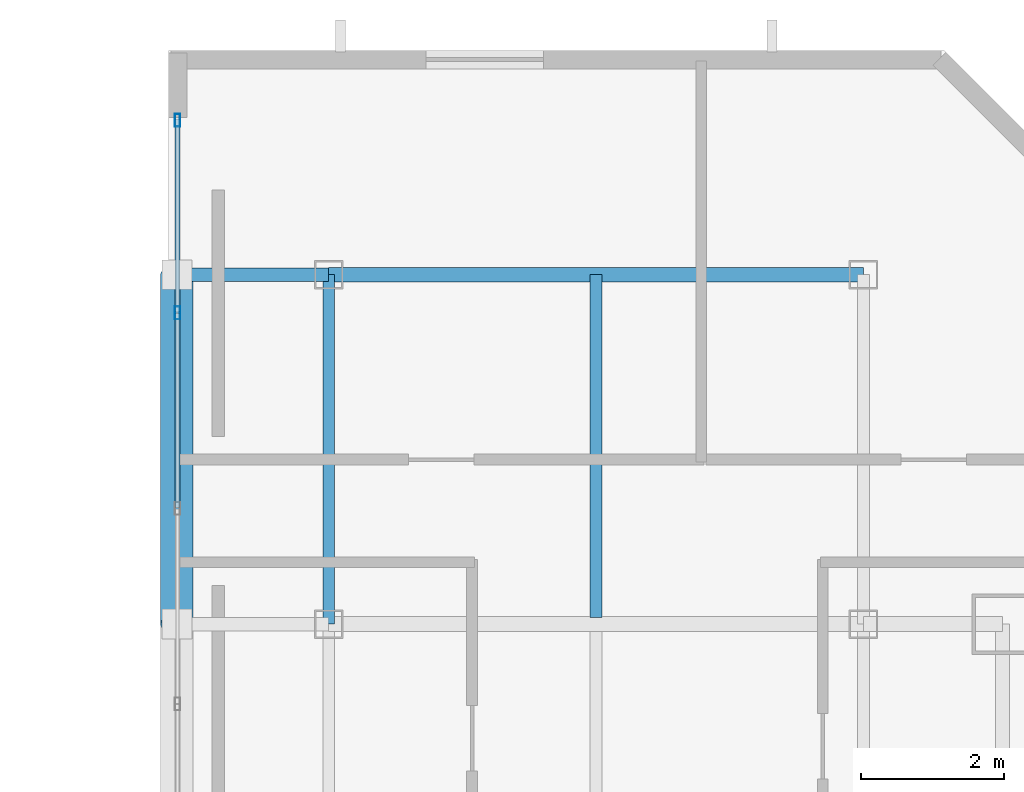
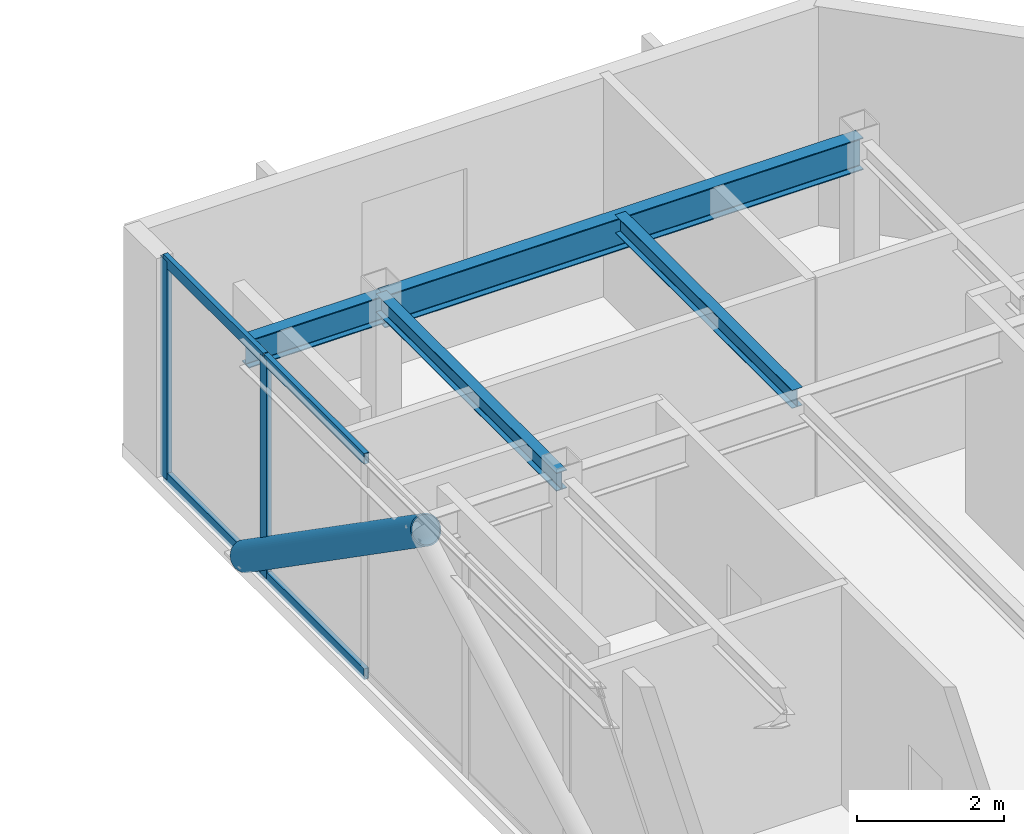
# One storey, part 12 of 18: 7 members, 4 beams, 1 element without a shape of its own.
"""IFC4 building model written with IfcOpenShell, lengths in metres."""

from ifc_helpers import new_model, si_unit, direction, frame, origin, origin_2d, place, context, subcontext, project, spatial, hollow_rectangle, hollow_circle, i_section, extrude, material, material_profile, profile_set, type_object, element, aggregate, save


model = new_model("IFC4")

# Units and contexts
model_context = context("Model", 3, precision=1e-05, world=origin(), true_north=direction((0.0, 1.0)))
body_context = subcontext(model_context, "Body", "Model", "MODEL_VIEW")
ifc_project = project(units=[si_unit("LENGTHUNIT", "METRE"), si_unit("AREAUNIT", "SQUARE_METRE"), si_unit("VOLUMEUNIT", "CUBIC_METRE"), si_unit("PLANEANGLEUNIT", "RADIAN"), si_unit("MASSUNIT", "GRAM", prefix="KILO")], contexts=[model_context])

# Site, building, storey
site_placement = place(None, origin())
site = spatial("IfcSite", under=ifc_project, at=site_placement, CompositionType="ELEMENT")
building_placement = place(site_placement, origin())
building = spatial("IfcBuilding", under=site, at=building_placement, Name="Ventersveld Concourse Tower", CompositionType="ELEMENT")
storey_placement = place(building_placement, frame((0.0, 0.0, 341.35009765625)))
storey = spatial("IfcBuildingStorey", under=building, at=storey_placement, Name="L84", CompositionType="ELEMENT", Elevation=341.35009765625)

# Beams
ifc_material_1 = material(Name="Structural steel S355J2", Category="steel")
ifc_material_profile_1 = material_profile(ifc_material_1, i_section(OverallWidth=0.1650390625, OverallDepth=0.303466796875, WebThickness=0.006103515625, FlangeThickness=0.01025390625, FilletRadius=0.0087890625, at=origin_2d()), Name="UB 305x165x40")
ifc_profile_set_1 = profile_set([ifc_material_profile_1], Name="Structural steel S355J2")
beam_type_1 = type_object("IfcBeamType", Name="BM-UB305", PredefinedType="BEAM", material=ifc_profile_set_1)
beam_1_placement = place(storey_placement, frame((36.25, 23.60009765625, 3.478271484375), z_axis=(0.0, 1.0, 0.0), x_axis=(-1.0, 0.0, 0.0)))
element("IfcBeam", 1, at=beam_1_placement, inside=storey, type_object=beam_type_1, Name="L84 N-S Upper-Zone Floor Beam X=36.25", PredefinedType="BEAM", context=body_context, shape_type="SweptSolid", body=[
    extrude(i_section(OverallWidth=0.1650390625, OverallDepth=0.303466796875, WebThickness=0.006103515625, FlangeThickness=0.01025390625, FilletRadius=0.0087890625, at=origin_2d()), origin(), (0.0, 0.0, 1.0), 4.89990234375),
])
beam_2_placement = place(storey_placement, frame((40.0, 23.695068359375, 3.478271484375), z_axis=(0.0, 1.0, 0.0), x_axis=(-1.0, 0.0, 0.0)))
element("IfcBeam", 2, at=beam_2_placement, inside=storey, type_object=beam_type_1, Name="L84 N-S Upper-Zone Floor Beam X=40.00", PredefinedType="BEAM", context=body_context, shape_type="SweptSolid", body=[
    extrude(i_section(OverallWidth=0.1650390625, OverallDepth=0.303466796875, WebThickness=0.006103515625, FlangeThickness=0.01025390625, FilletRadius=0.0087890625, at=origin_2d()), origin(), (0.0, 0.0, 1.0), 4.804931640625),
])

# Curtain wall, members
ifc_material_2 = material(Name="Anodised aluminium EN AW-6063-T6", Category="aluminium")
curtain_wall_type = type_object("IfcCurtainWallType", Name="CW-WP-5", PredefinedType="NOTDEFINED", material=ifc_material_2)
curtain_wall_placement = place(storey_placement, origin())
curtain_wall = element("IfcCurtainWall", 3, at=curtain_wall_placement, inside=storey, type_object=curtain_wall_type, Name="L84 L84 Wind Portal Aerodynamic Cheek Curtain Wall", PredefinedType="NOTDEFINED")
ifc_material_profile_2 = material_profile(ifc_material_2, hollow_rectangle(XDim=0.074951171875, YDim=0.179931640625, WallThickness=0.00390625, at=origin_2d()), Name="ALU 180x75x4")
ifc_profile_set_2 = profile_set([ifc_material_profile_2], Name="Anodised aluminium EN AW-6063-T6")
member_type_1 = type_object("IfcMemberType", Name="CWM-180x75", PredefinedType="MULLION", material=ifc_profile_set_2)
member_1_placement = place(storey_placement, frame((34.1298828125, 27.965087890625, 0.0), z_axis=(0.0, 0.0, 1.0), x_axis=(1.0, 0.0, 0.0)))
member_1 = element("IfcMember", 4, at=member_1_placement, type_object=member_type_1, Name="CW-L84-WP-E Mullion 06", PredefinedType="MULLION", context=body_context, shape_type="SweptSolid", body=[
    extrude(hollow_rectangle(XDim=0.074951171875, YDim=0.179931640625, WallThickness=0.00390625, at=origin_2d()), origin(), (0.0, 0.0, 1.0), 3.6298828125),
])
member_2_placement = place(storey_placement, frame((34.1298828125, 30.668212890625, 0.0), z_axis=(0.0, 0.0, 1.0), x_axis=(1.0, 0.0, 0.0)))
member_2 = element("IfcMember", 5, at=member_2_placement, type_object=member_type_1, Name="CW-L84-WP-E Mullion 07", PredefinedType="MULLION", context=body_context, shape_type="SweptSolid", body=[
    extrude(hollow_rectangle(XDim=0.074951171875, YDim=0.179931640625, WallThickness=0.00390625, at=origin_2d()), origin(), (0.0, 0.0, 1.0), 3.6298828125),
])
ifc_material_profile_3 = material_profile(ifc_material_2, hollow_rectangle(XDim=0.074951171875, YDim=0.179931640625, WallThickness=0.00390625, at=origin_2d()), Name="ALU 180x75x4")
ifc_profile_set_3 = profile_set([ifc_material_profile_3], Name="Anodised aluminium EN AW-6063-T6")
member_type_2 = type_object("IfcMemberType", Name="CWT-180x75", PredefinedType="USERDEFINED", material=ifc_profile_set_3)
member_3_placement = place(storey_placement, frame((34.1298828125, 25.232177734375, 0.02978515625), z_axis=(0.0, 1.0, 0.0), x_axis=(-1.0, 0.0, 0.0)))
member_3 = element("IfcMember", 6, at=member_3_placement, type_object=member_type_2, Name="CW-L84-WP-E Transom 1-05", ObjectType="TRANSOM", PredefinedType="USERDEFINED", context=body_context, shape_type="SweptSolid", body=[
    extrude(hollow_rectangle(XDim=0.074951171875, YDim=0.179931640625, WallThickness=0.00390625, at=origin_2d()), origin(), (0.0, 0.0, 1.0), 2.722900390625),
])
member_4_placement = place(storey_placement, frame((34.1298828125, 27.97509765625, 0.02978515625), z_axis=(0.0, 1.0, 0.0), x_axis=(-1.0, 0.0, 0.0)))
member_4 = element("IfcMember", 7, at=member_4_placement, type_object=member_type_2, Name="CW-L84-WP-E Transom 1-06", ObjectType="TRANSOM", PredefinedType="USERDEFINED", context=body_context, shape_type="SweptSolid", body=[
    extrude(hollow_rectangle(XDim=0.074951171875, YDim=0.179931640625, WallThickness=0.00390625, at=origin_2d()), origin(), (0.0, 0.0, 1.0), 2.712890625),
])
member_5_placement = place(storey_placement, frame((34.1298828125, 25.232177734375, 3.599853515625), z_axis=(0.0, 1.0, 0.0), x_axis=(-1.0, 0.0, 0.0)))
member_5 = element("IfcMember", 8, at=member_5_placement, type_object=member_type_2, Name="CW-L84-WP-E Transom 2-05", ObjectType="TRANSOM", PredefinedType="USERDEFINED", context=body_context, shape_type="SweptSolid", body=[
    extrude(hollow_rectangle(XDim=0.074951171875, YDim=0.179931640625, WallThickness=0.00390625, at=origin_2d()), origin(), (0.0, 0.0, 1.0), 2.722900390625),
])
member_6_placement = place(storey_placement, frame((34.1298828125, 27.97509765625, 3.599853515625), z_axis=(0.0, 1.0, 0.0), x_axis=(-1.0, 0.0, 0.0)))
member_6 = element("IfcMember", 9, at=member_6_placement, type_object=member_type_2, Name="CW-L84-WP-E Transom 2-06", ObjectType="TRANSOM", PredefinedType="USERDEFINED", context=body_context, shape_type="SweptSolid", body=[
    extrude(hollow_rectangle(XDim=0.074951171875, YDim=0.179931640625, WallThickness=0.00390625, at=origin_2d()), origin(), (0.0, 0.0, 1.0), 2.712890625),
])
aggregate(curtain_wall, [member_1, member_2, member_3, member_4, member_5, member_6])

# Beams
ifc_material_profile_4 = material_profile(ifc_material_1, i_section(OverallWidth=0.209228515625, OverallDepth=0.533203125, WebThickness=0.010009765625, FlangeThickness=0.015625, FilletRadius=0.0126953125, at=origin_2d()), Name="UB 533x210x92")
ifc_profile_set_4 = profile_set([ifc_material_profile_4], Name="Structural steel S355J2")
beam_type_2 = type_object("IfcBeamType", Name="GRD-UB533", PredefinedType="T_BEAM", material=ifc_profile_set_4)
beam_3_placement = place(storey_placement, frame((36.25, 28.5, 3.36328125), z_axis=(1.0, 0.0, 0.0), x_axis=(0.0, 1.0, 0.0)))
element("IfcBeam", 10, at=beam_3_placement, inside=storey, type_object=beam_type_2, Name="L84 North Girder Y=28.50 E", PredefinedType="T_BEAM", context=body_context, shape_type="SweptSolid", body=[
    extrude(i_section(OverallWidth=0.209228515625, OverallDepth=0.533203125, WebThickness=0.010009765625, FlangeThickness=0.015625, FilletRadius=0.0126953125, at=origin_2d()), origin(), (0.0, 0.0, 1.0), 7.5),
])
ifc_material_profile_5 = material_profile(ifc_material_1, i_section(OverallWidth=0.19140625, OverallDepth=0.4599609375, WebThickness=0.010009765625, FlangeThickness=0.01611328125, FilletRadius=0.01025390625, at=origin_2d()), Name="UB 457x191x82")
ifc_profile_set_5 = profile_set([ifc_material_profile_5], Name="Structural steel S355J2")
beam_type_3 = type_object("IfcBeamType", Name="SPD-UB457", PredefinedType="SPANDREL", material=ifc_profile_set_5)
beam_4_placement = place(storey_placement, frame((34.1201171875, 28.5, 3.39990234375), z_axis=(1.0, 0.0, 0.0), x_axis=(0.0, 1.0, 0.0)))
element("IfcBeam", 11, at=beam_4_placement, inside=storey, type_object=beam_type_3, Name="L84 Wind Portal East Tie YN", PredefinedType="SPANDREL", context=body_context, shape_type="SweptSolid", body=[
    extrude(i_section(OverallWidth=0.19140625, OverallDepth=0.4599609375, WebThickness=0.010009765625, FlangeThickness=0.01611328125, FilletRadius=0.01025390625, at=origin_2d()), origin(), (0.0, 0.0, 1.0), 2.1298828125),
])

# Member
ifc_material_3 = material(Name="Structural steel S355ML", Category="steel")
ifc_material_profile_6 = material_profile(ifc_material_3, hollow_circle(Radius=0.228515625, WallThickness=0.02001953125, at=origin_2d()), Name="CHS 457x20")
ifc_profile_set_6 = profile_set([ifc_material_profile_6], Name="Structural steel S355ML")
member_type_3 = type_object("IfcMemberType", Name="STR-WP-457", PredefinedType="STRUT", material=ifc_profile_set_6)
member_7_placement = place(storey_placement, frame((34.1201171875, 28.5, 0.0), z_axis=(0.0, -0.820804326892, 0.571209468545), x_axis=(1.0, 0.0, 0.0)))
element("IfcMember", 12, at=member_7_placement, inside=storey, type_object=member_type_3, Name="L84 Wind Portal Edge Brace Strut E2", PredefinedType="STRUT", context=body_context, shape_type="SweptSolid", body=[
    extrude(hollow_circle(Radius=0.228515625, WallThickness=0.02001953125, at=origin_2d()), origin(), (0.0, 0.0, 1.0), 5.9697265625),
])

save(model, "model.ifc")
